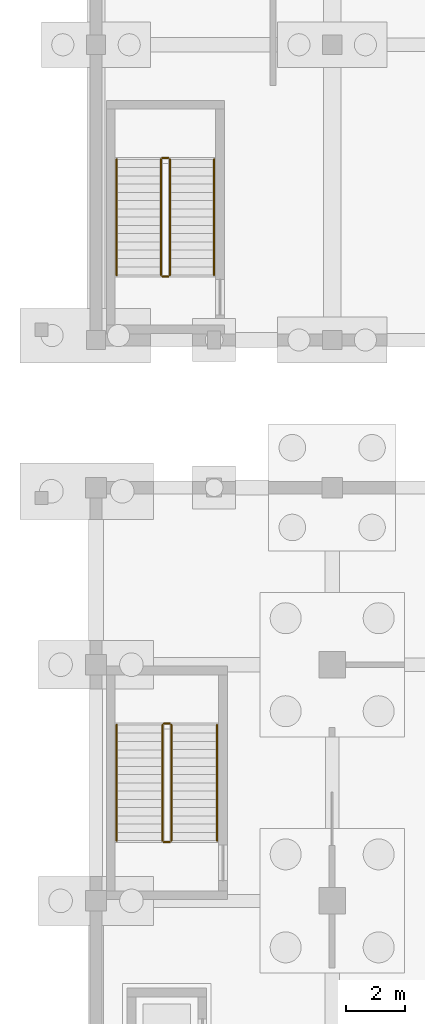
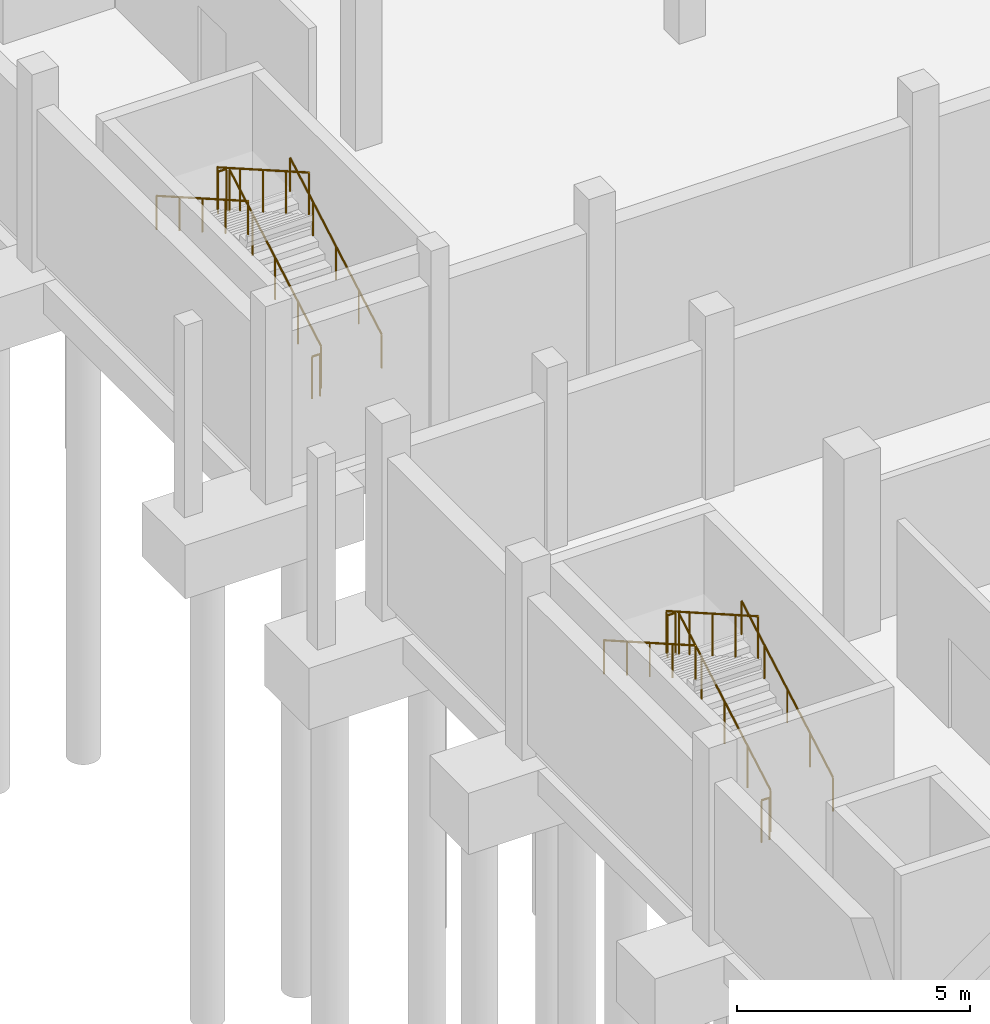
# One storey, part 44 of 52: 12 railings.
"""IFC4 building model written with IfcOpenShell, lengths in metres."""

from ifc_helpers import new_model, si_unit, direction, frame, origin, origin_2d, place, context, subcontext, project, spatial, circle, extrude, material, type_object, element, save


model = new_model("IFC4")

# Units and contexts
model_context = context("Model", 3, precision=1e-05, world=origin(), true_north=direction((0.0, 1.0)))
body_context = subcontext(model_context, "Body", "Model", "MODEL_VIEW")
ifc_project = project(units=[si_unit("LENGTHUNIT", "METRE"), si_unit("AREAUNIT", "SQUARE_METRE"), si_unit("VOLUMEUNIT", "CUBIC_METRE"), si_unit("PLANEANGLEUNIT", "RADIAN"), si_unit("MASSUNIT", "GRAM", prefix="KILO")], contexts=[model_context])

# Site, building, storey
site_placement = place(None, origin())
site = spatial("IfcSite", under=ifc_project, at=site_placement, CompositionType="ELEMENT")
building_placement = place(site_placement, origin())
building = spatial("IfcBuilding", under=site, at=building_placement, Name="Luwemba Playhouse", CompositionType="ELEMENT")
storey_placement = place(building_placement, frame((0.0, 0.0, -4.800048828125)))
storey = spatial("IfcBuildingStorey", under=building, at=storey_placement, Name="B1", CompositionType="ELEMENT", Elevation=-4.800048828125)

# Railings
ifc_material_1 = material(Name="Painted wrought-iron gallery balustrade", Category="steel")
railing_type_1 = type_object("IfcRailingType", Name="RLG-BAL-INT", PredefinedType="BALUSTRADE", material=ifc_material_1)
railing_1_placement = place(storey_placement, frame((6.550048828125, 78.0400390625, 0.16015625)))
element("IfcRailing", 1, at=railing_1_placement, inside=storey, type_object=railing_type_1, Name="B1 ST-03 stair guard 1", PredefinedType="BALUSTRADE", context=body_context, shape_type="SweptSolid", body=[
    extrude(circle(Radius=0.02392578125, at=origin_2d()), frame((0.0, 0.0, 1.09619140625), z_axis=(0.0, 0.868239814368, 0.496144761885), x_axis=(-1.0, 0.0, 0.0)), (0.0, 0.0, 1.0), 4.514892578125),
    extrude(circle(Radius=0.02099609375, at=origin_2d()), origin(), (0.0, 0.0, 1.0), 1.072021484375),
    extrude(circle(Radius=0.02099609375, at=origin_2d()), frame((0.0, 0.97998046875, 0.56005859375)), (0.0, 0.0, 1.0), 1.072021484375),
    extrude(circle(Radius=0.02099609375, at=origin_2d()), frame((0.0, 1.9599609375, 1.1201171875)), (0.0, 0.0, 1.0), 1.072021484375),
    extrude(circle(Radius=0.02099609375, at=origin_2d()), frame((0.0, 2.93994140625, 1.679931640625)), (0.0, 0.0, 1.0), 1.072021484375),
    extrude(circle(Radius=0.02099609375, at=origin_2d()), frame((0.0, 3.919921875, 2.239990234375)), (0.0, 0.0, 1.0), 1.072021484375),
])
railing_2_placement = place(storey_placement, frame((6.5, 82.010009765625, 2.400146484375)))
element("IfcRailing", 2, at=railing_2_placement, inside=storey, type_object=railing_type_1, Name="B1 ST-03 stair guard 2", PredefinedType="BALUSTRADE", context=body_context, shape_type="SweptSolid", body=[
    extrude(circle(Radius=0.02392578125, at=origin_2d()), frame((0.0, 0.0, 1.09619140625), z_axis=(-1.0, 0.0, 0.0), x_axis=(0.0, -1.0, 0.0)), (0.0, 0.0, 1.0), 0.199951171875),
    extrude(circle(Radius=0.02099609375, at=origin_2d()), origin(), (0.0, 0.0, 1.0), 1.072021484375),
    extrude(circle(Radius=0.02099609375, at=origin_2d()), frame((-0.199951171875, 0.0, 0.0)), (0.0, 0.0, 1.0), 1.072021484375),
])
railing_3_placement = place(storey_placement, frame((6.25, 81.9599609375, 2.56005859375)))
element("IfcRailing", 3, at=railing_3_placement, inside=storey, type_object=railing_type_1, Name="B1 ST-03 stair guard 3", PredefinedType="BALUSTRADE", context=body_context, shape_type="SweptSolid", body=[
    extrude(circle(Radius=0.02392578125, at=origin_2d()), frame((0.0, 0.0, 1.09619140625), z_axis=(0.0, -0.868239814368, 0.496144761885), x_axis=(1.0, 0.0, 0.0)), (0.0, 0.0, 1.0), 4.514892578125),
    extrude(circle(Radius=0.02099609375, at=origin_2d()), origin(), (0.0, 0.0, 1.0), 1.072021484375),
    extrude(circle(Radius=0.02099609375, at=origin_2d()), frame((0.0, -0.97998046875, 0.56005859375)), (0.0, 0.0, 1.0), 1.072021484375),
    extrude(circle(Radius=0.02099609375, at=origin_2d()), frame((0.0, -1.9599609375, 1.1201171875)), (0.0, 0.0, 1.0), 1.072021484375),
    extrude(circle(Radius=0.02099609375, at=origin_2d()), frame((0.0, -2.93994140625, 1.679931640625)), (0.0, 0.0, 1.0), 1.072021484375),
    extrude(circle(Radius=0.02099609375, at=origin_2d()), frame((0.0, -3.919921875, 2.239990234375)), (0.0, 0.0, 1.0), 1.072021484375),
])
railing_4_placement = place(storey_placement, frame((6.5, 77.989990234375, 0.0)))
element("IfcRailing", 4, at=railing_4_placement, inside=storey, type_object=railing_type_1, Name="B1 ST-03 stair guard 4", PredefinedType="BALUSTRADE", context=body_context, shape_type="SweptSolid", body=[
    extrude(circle(Radius=0.02392578125, at=origin_2d()), frame((0.0, 0.0, 1.09619140625), z_axis=(-1.0, 0.0, 0.0), x_axis=(0.0, -1.0, 0.0)), (0.0, 0.0, 1.0), 0.199951171875),
    extrude(circle(Radius=0.02099609375, at=origin_2d()), origin(), (0.0, 0.0, 1.0), 1.072021484375),
    extrude(circle(Radius=0.02099609375, at=origin_2d()), frame((-0.199951171875, 0.0, 0.0)), (0.0, 0.0, 1.0), 1.072021484375),
])
railing_5_placement = place(storey_placement, frame((6.5, 97.199951171875, 0.16015625)))
element("IfcRailing", 5, at=railing_5_placement, inside=storey, type_object=railing_type_1, Name="B1 ST-08 stair guard 1", PredefinedType="BALUSTRADE", context=body_context, shape_type="SweptSolid", body=[
    extrude(circle(Radius=0.02392578125, at=origin_2d()), frame((0.0, 0.0, 1.09619140625), z_axis=(0.0, 0.86825312469, 0.496121468458), x_axis=(-1.0, 0.0, 0.0)), (0.0, 0.0, 1.0), 4.514892578125),
    extrude(circle(Radius=0.02099609375, at=origin_2d()), origin(), (0.0, 0.0, 1.0), 1.072021484375),
    extrude(circle(Radius=0.02099609375, at=origin_2d()), frame((0.0, 0.97998046875, 0.56005859375)), (0.0, 0.0, 1.0), 1.072021484375),
    extrude(circle(Radius=0.02099609375, at=origin_2d()), frame((0.0, 1.9599609375, 1.1201171875)), (0.0, 0.0, 1.0), 1.072021484375),
    extrude(circle(Radius=0.02099609375, at=origin_2d()), frame((0.0, 2.940185546875, 1.679931640625)), (0.0, 0.0, 1.0), 1.072021484375),
    extrude(circle(Radius=0.02099609375, at=origin_2d()), frame((0.0, 3.920166015625, 2.239990234375)), (0.0, 0.0, 1.0), 1.072021484375),
])
railing_6_placement = place(storey_placement, frame((6.449951171875, 101.169921875, 2.400146484375)))
element("IfcRailing", 6, at=railing_6_placement, inside=storey, type_object=railing_type_1, Name="B1 ST-08 stair guard 2", PredefinedType="BALUSTRADE", context=body_context, shape_type="SweptSolid", body=[
    extrude(circle(Radius=0.02392578125, at=origin_2d()), frame((0.0, 0.0, 1.09619140625), z_axis=(-1.0, 0.0, 0.0), x_axis=(0.0, -1.0, 0.0)), (0.0, 0.0, 1.0), 0.199951171875),
    extrude(circle(Radius=0.02099609375, at=origin_2d()), origin(), (0.0, 0.0, 1.0), 1.072021484375),
    extrude(circle(Radius=0.02099609375, at=origin_2d()), frame((-0.199951171875, 0.0, 0.0)), (0.0, 0.0, 1.0), 1.072021484375),
])
railing_7_placement = place(storey_placement, frame((6.199951171875, 101.1201171875, 2.56005859375)))
element("IfcRailing", 7, at=railing_7_placement, inside=storey, type_object=railing_type_1, Name="B1 ST-08 stair guard 3", PredefinedType="BALUSTRADE", context=body_context, shape_type="SweptSolid", body=[
    extrude(circle(Radius=0.02392578125, at=origin_2d()), frame((0.0, 0.0, 1.09619140625), z_axis=(0.0, -0.86825312469, 0.496121468458), x_axis=(1.0, 0.0, 0.0)), (0.0, 0.0, 1.0), 4.514892578125),
    extrude(circle(Radius=0.02099609375, at=origin_2d()), origin(), (0.0, 0.0, 1.0), 1.072021484375),
    extrude(circle(Radius=0.02099609375, at=origin_2d()), frame((0.0, -0.97998046875, 0.56005859375)), (0.0, 0.0, 1.0), 1.072021484375),
    extrude(circle(Radius=0.02099609375, at=origin_2d()), frame((0.0, -1.9599609375, 1.1201171875)), (0.0, 0.0, 1.0), 1.072021484375),
    extrude(circle(Radius=0.02099609375, at=origin_2d()), frame((0.0, -2.940185546875, 1.679931640625)), (0.0, 0.0, 1.0), 1.072021484375),
    extrude(circle(Radius=0.02099609375, at=origin_2d()), frame((0.0, -3.920166015625, 2.239990234375)), (0.0, 0.0, 1.0), 1.072021484375),
])
railing_8_placement = place(storey_placement, frame((6.449951171875, 97.14990234375, 0.0)))
element("IfcRailing", 8, at=railing_8_placement, inside=storey, type_object=railing_type_1, Name="B1 ST-08 stair guard 4", PredefinedType="BALUSTRADE", context=body_context, shape_type="SweptSolid", body=[
    extrude(circle(Radius=0.02392578125, at=origin_2d()), frame((0.0, 0.0, 1.09619140625), z_axis=(-1.0, 0.0, 0.0), x_axis=(0.0, -1.0, 0.0)), (0.0, 0.0, 1.0), 0.199951171875),
    extrude(circle(Radius=0.02099609375, at=origin_2d()), origin(), (0.0, 0.0, 1.0), 1.072021484375),
    extrude(circle(Radius=0.02099609375, at=origin_2d()), frame((-0.199951171875, 0.0, 0.0)), (0.0, 0.0, 1.0), 1.072021484375),
])
ifc_material_2 = material(Name="Hardwood and bronze handrail", Category="wood")
railing_type_2 = type_object("IfcRailingType", Name="RLG-HR-INT", PredefinedType="HANDRAIL", material=ifc_material_2)
railing_9_placement = place(storey_placement, frame((8.10009765625, 78.0400390625, 0.16015625)))
element("IfcRailing", 9, at=railing_9_placement, inside=storey, type_object=railing_type_2, Name="B1 ST-03 stair handrail 1", PredefinedType="HANDRAIL", context=body_context, shape_type="SweptSolid", body=[
    extrude(circle(Radius=0.02392578125, at=origin_2d()), frame((0.0, 0.0, 0.8759765625), z_axis=(0.0, 0.868239814368, 0.496144761885), x_axis=(-1.0, 0.0, 0.0)), (0.0, 0.0, 1.0), 4.514892578125),
    extrude(circle(Radius=0.02099609375, at=origin_2d()), origin(), (0.0, 0.0, 1.0), 0.851806640625),
    extrude(circle(Radius=0.02099609375, at=origin_2d()), frame((0.0, 0.97998046875, 0.56005859375)), (0.0, 0.0, 1.0), 0.851806640625),
    extrude(circle(Radius=0.02099609375, at=origin_2d()), frame((0.0, 1.9599609375, 1.1201171875)), (0.0, 0.0, 1.0), 0.851806640625),
    extrude(circle(Radius=0.02099609375, at=origin_2d()), frame((0.0, 2.93994140625, 1.679931640625)), (0.0, 0.0, 1.0), 0.851806640625),
    extrude(circle(Radius=0.02099609375, at=origin_2d()), frame((0.0, 3.919921875, 2.239990234375)), (0.0, 0.0, 1.0), 0.851806640625),
])
railing_10_placement = place(storey_placement, frame((4.699951171875, 81.9599609375, 2.56005859375)))
element("IfcRailing", 10, at=railing_10_placement, inside=storey, type_object=railing_type_2, Name="B1 ST-03 stair handrail 2", PredefinedType="HANDRAIL", context=body_context, shape_type="SweptSolid", body=[
    extrude(circle(Radius=0.02392578125, at=origin_2d()), frame((0.0, 0.0, 0.8759765625), z_axis=(0.0, -0.868239814368, 0.496144761885), x_axis=(1.0, 0.0, 0.0)), (0.0, 0.0, 1.0), 4.514892578125),
    extrude(circle(Radius=0.02099609375, at=origin_2d()), origin(), (0.0, 0.0, 1.0), 0.851806640625),
    extrude(circle(Radius=0.02099609375, at=origin_2d()), frame((0.0, -0.97998046875, 0.56005859375)), (0.0, 0.0, 1.0), 0.851806640625),
    extrude(circle(Radius=0.02099609375, at=origin_2d()), frame((0.0, -1.9599609375, 1.1201171875)), (0.0, 0.0, 1.0), 0.851806640625),
    extrude(circle(Radius=0.02099609375, at=origin_2d()), frame((0.0, -2.93994140625, 1.679931640625)), (0.0, 0.0, 1.0), 0.851806640625),
    extrude(circle(Radius=0.02099609375, at=origin_2d()), frame((0.0, -3.919921875, 2.239990234375)), (0.0, 0.0, 1.0), 0.851806640625),
])
railing_11_placement = place(storey_placement, frame((8.0, 97.199951171875, 0.16015625)))
element("IfcRailing", 11, at=railing_11_placement, inside=storey, type_object=railing_type_2, Name="B1 ST-08 stair handrail 1", PredefinedType="HANDRAIL", context=body_context, shape_type="SweptSolid", body=[
    extrude(circle(Radius=0.02392578125, at=origin_2d()), frame((0.0, 0.0, 0.8759765625), z_axis=(0.0, 0.86825312469, 0.496121468458), x_axis=(-1.0, 0.0, 0.0)), (0.0, 0.0, 1.0), 4.514892578125),
    extrude(circle(Radius=0.02099609375, at=origin_2d()), origin(), (0.0, 0.0, 1.0), 0.851806640625),
    extrude(circle(Radius=0.02099609375, at=origin_2d()), frame((0.0, 0.97998046875, 0.56005859375)), (0.0, 0.0, 1.0), 0.851806640625),
    extrude(circle(Radius=0.02099609375, at=origin_2d()), frame((0.0, 1.9599609375, 1.1201171875)), (0.0, 0.0, 1.0), 0.851806640625),
    extrude(circle(Radius=0.02099609375, at=origin_2d()), frame((0.0, 2.940185546875, 1.679931640625)), (0.0, 0.0, 1.0), 0.851806640625),
    extrude(circle(Radius=0.02099609375, at=origin_2d()), frame((0.0, 3.920166015625, 2.239990234375)), (0.0, 0.0, 1.0), 0.851806640625),
])
railing_12_placement = place(storey_placement, frame((4.699951171875, 101.1201171875, 2.56005859375)))
element("IfcRailing", 12, at=railing_12_placement, inside=storey, type_object=railing_type_2, Name="B1 ST-08 stair handrail 2", PredefinedType="HANDRAIL", context=body_context, shape_type="SweptSolid", body=[
    extrude(circle(Radius=0.02392578125, at=origin_2d()), frame((0.0, 0.0, 0.8759765625), z_axis=(0.0, -0.86825312469, 0.496121468458), x_axis=(1.0, 0.0, 0.0)), (0.0, 0.0, 1.0), 4.514892578125),
    extrude(circle(Radius=0.02099609375, at=origin_2d()), origin(), (0.0, 0.0, 1.0), 0.851806640625),
    extrude(circle(Radius=0.02099609375, at=origin_2d()), frame((0.0, -0.97998046875, 0.56005859375)), (0.0, 0.0, 1.0), 0.851806640625),
    extrude(circle(Radius=0.02099609375, at=origin_2d()), frame((0.0, -1.9599609375, 1.1201171875)), (0.0, 0.0, 1.0), 0.851806640625),
    extrude(circle(Radius=0.02099609375, at=origin_2d()), frame((0.0, -2.940185546875, 1.679931640625)), (0.0, 0.0, 1.0), 0.851806640625),
    extrude(circle(Radius=0.02099609375, at=origin_2d()), frame((0.0, -3.920166015625, 2.239990234375)), (0.0, 0.0, 1.0), 0.851806640625),
])

save(model, "model.ifc")
